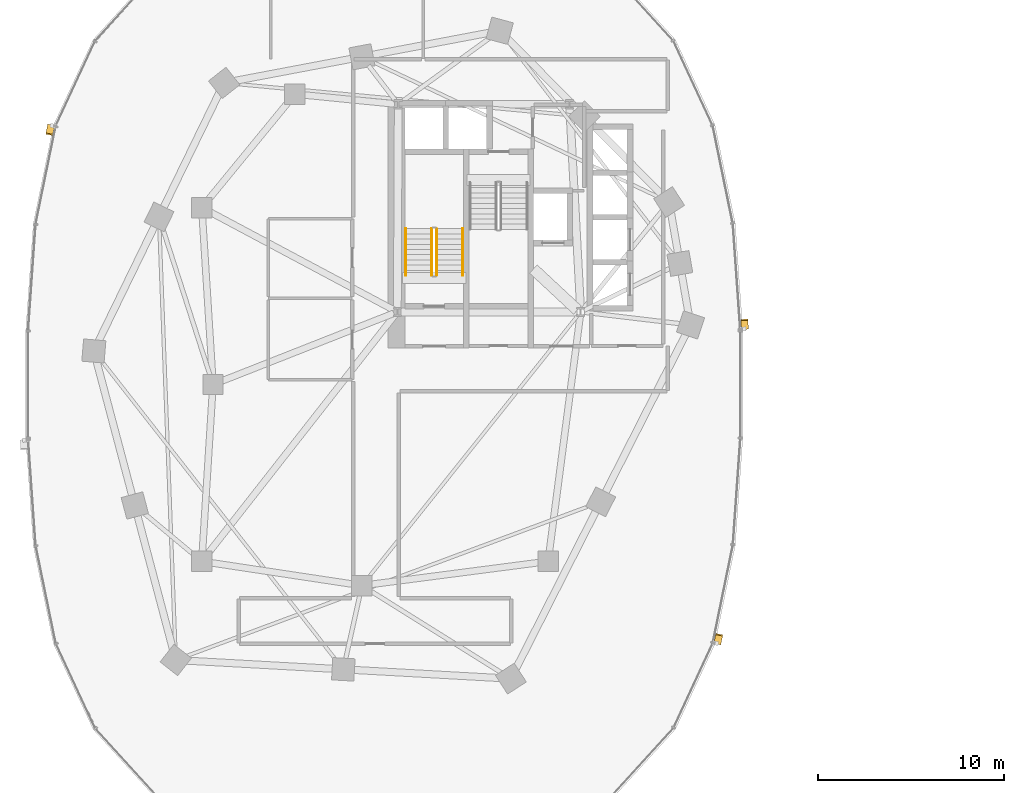
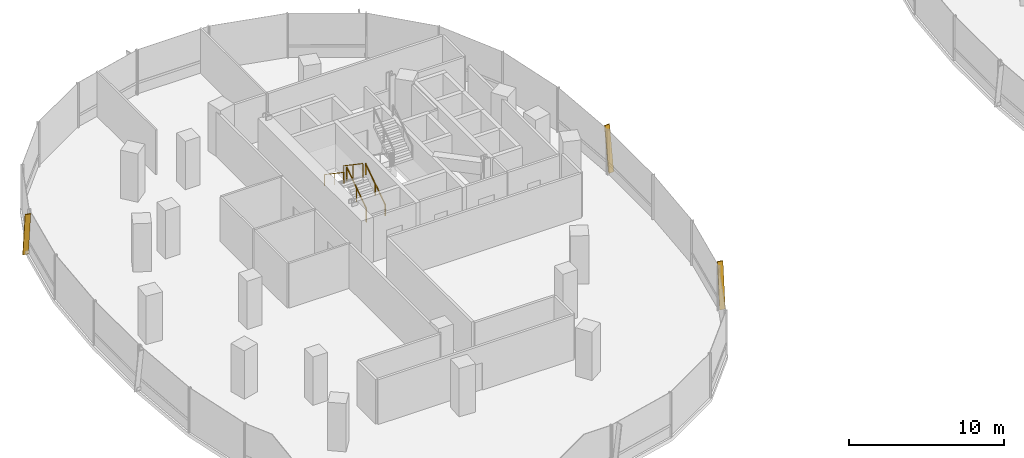
# One storey, part 18 of 21: 4 railings, 3 shading devices.
"""IFC4 building model written with IfcOpenShell, lengths in metres."""

from ifc_helpers import new_model, si_unit, direction, frame, origin, origin_2d, place, context, subcontext, project, spatial, rectangle, extrude, material, material_profile, profile_set, type_object, element, save


model = new_model("IFC4")

# Units and contexts
model_context = context("Model", 3, precision=1e-05, world=origin(), true_north=direction((0.0, 1.0)))
body_context = subcontext(model_context, "Body", "Model", "MODEL_VIEW")
ifc_project = project(units=[si_unit("LENGTHUNIT", "METRE"), si_unit("AREAUNIT", "SQUARE_METRE"), si_unit("VOLUMEUNIT", "CUBIC_METRE"), si_unit("PLANEANGLEUNIT", "RADIAN"), si_unit("MASSUNIT", "GRAM", prefix="KILO"), si_unit("THERMODYNAMICTEMPERATUREUNIT", "KELVIN"), si_unit("POWERUNIT", "WATT")], contexts=[model_context])

# Site, building, storey
site_placement = place(None, origin())
site = spatial("IfcSite", under=ifc_project, at=site_placement, CompositionType="ELEMENT")
building_placement = place(site_placement, origin())
building = spatial("IfcBuilding", under=site, at=building_placement, Name="Cundina Bronze Exchange", CompositionType="ELEMENT")
storey_placement = place(building_placement, frame((0.0, 0.0, 73.39990234375)))
storey = spatial("IfcBuildingStorey", under=building, at=storey_placement, Name="L18", CompositionType="ELEMENT", Elevation=73.39990234375)

# Railings
ifc_material_1 = material(Name="Steel ASTM A36 Painted", Category="steel")
railing_type_1 = type_object("IfcRailingType", Name="RLG-HND-900", PredefinedType="HANDRAIL", material=ifc_material_1)
railing_1_placement = place(storey_placement, frame((-27.7900390625, 5.85009765625, 0.190185546875)))
element("IfcRailing", 1, at=railing_1_placement, inside=storey, type_object=railing_type_1, Name="L18 ST-W1 stair handrail 1", PredefinedType="HANDRAIL", context=body_context, shape_type="SweptSolid", body=[
    extrude(rectangle(XDim=0.048095703125, YDim=0.048095703125, at=origin_2d()), frame((0.0, 0.0, 0.8759765625), z_axis=(0.0, 0.827483756001, 0.561489655786), x_axis=(-1.0, 0.0, 0.0)), (0.0, 0.0, 1.0), 3.04541015625),
    extrude(rectangle(XDim=0.0419921875, YDim=0.0419921875, at=origin_2d()), origin(), (0.0, 0.0, 1.0), 0.851806640625),
    extrude(rectangle(XDim=0.0419921875, YDim=0.0419921875, at=origin_2d()), frame((0.0, 1.260009765625, 0.85498046875)), (0.0, 0.0, 1.0), 0.851806640625),
    extrude(rectangle(XDim=0.0419921875, YDim=0.0419921875, at=origin_2d()), frame((0.0, 2.52001953125, 1.7099609375)), (0.0, 0.0, 1.0), 0.851806640625),
])
railing_2_placement = place(storey_placement, frame((-30.85009765625, 8.3701171875, 2.090087890625)))
element("IfcRailing", 2, at=railing_2_placement, inside=storey, type_object=railing_type_1, Name="L18 ST-W1 stair handrail 2", PredefinedType="HANDRAIL", context=body_context, shape_type="SweptSolid", body=[
    extrude(rectangle(XDim=0.048095703125, YDim=0.048095703125, at=origin_2d()), frame((0.0, 0.0, 0.8759765625), z_axis=(0.0, -0.827483756001, 0.561489655786), x_axis=(1.0, 0.0, 0.0)), (0.0, 0.0, 1.0), 3.04541015625),
    extrude(rectangle(XDim=0.0419921875, YDim=0.0419921875, at=origin_2d()), origin(), (0.0, 0.0, 1.0), 0.851806640625),
    extrude(rectangle(XDim=0.0419921875, YDim=0.0419921875, at=origin_2d()), frame((0.0, -1.260009765625, 0.85498046875)), (0.0, 0.0, 1.0), 0.851806640625),
    extrude(rectangle(XDim=0.0419921875, YDim=0.0419921875, at=origin_2d()), frame((0.0, -2.52001953125, 1.7099609375)), (0.0, 0.0, 1.0), 0.851806640625),
])
railing_type_2 = type_object("IfcRailingType", Name="RLG-STG-1100", PredefinedType="GUARDRAIL", material=ifc_material_1)
railing_3_placement = place(storey_placement, frame((-29.18994140625, 5.85009765625, 0.190185546875)))
element("IfcRailing", 3, at=railing_3_placement, inside=storey, type_object=railing_type_2, Name="L18 ST-W1 stair guard 1", PredefinedType="GUARDRAIL", context=body_context, shape_type="SweptSolid", body=[
    extrude(rectangle(XDim=0.048095703125, YDim=0.048095703125, at=origin_2d()), frame((0.0, 0.0, 1.076171875), z_axis=(0.0, 0.827483756001, 0.561489655786), x_axis=(-1.0, 0.0, 0.0)), (0.0, 0.0, 1.0), 3.04541015625),
    extrude(rectangle(XDim=0.0419921875, YDim=0.0419921875, at=origin_2d()), origin(), (0.0, 0.0, 1.0), 1.052001953125),
    extrude(rectangle(XDim=0.0419921875, YDim=0.0419921875, at=origin_2d()), frame((0.0, 1.260009765625, 0.85498046875)), (0.0, 0.0, 1.0), 1.052001953125),
    extrude(rectangle(XDim=0.0419921875, YDim=0.0419921875, at=origin_2d()), frame((0.0, 2.52001953125, 1.7099609375)), (0.0, 0.0, 1.0), 1.052001953125),
])
railing_4_placement = place(storey_placement, frame((-29.449951171875, 8.3701171875, 2.090087890625)))
element("IfcRailing", 4, at=railing_4_placement, inside=storey, type_object=railing_type_2, Name="L18 ST-W1 stair guard 3", PredefinedType="GUARDRAIL", context=body_context, shape_type="SweptSolid", body=[
    extrude(rectangle(XDim=0.048095703125, YDim=0.048095703125, at=origin_2d()), frame((0.0, 0.0, 1.076171875), z_axis=(0.0, -0.827483756001, 0.561489655786), x_axis=(1.0, 0.0, 0.0)), (0.0, 0.0, 1.0), 3.04541015625),
    extrude(rectangle(XDim=0.0419921875, YDim=0.0419921875, at=origin_2d()), origin(), (0.0, 0.0, 1.0), 1.052001953125),
    extrude(rectangle(XDim=0.0419921875, YDim=0.0419921875, at=origin_2d()), frame((0.0, -1.260009765625, 0.85498046875)), (0.0, 0.0, 1.0), 1.052001953125),
    extrude(rectangle(XDim=0.0419921875, YDim=0.0419921875, at=origin_2d()), frame((0.0, -2.52001953125, 1.7099609375)), (0.0, 0.0, 1.0), 1.052001953125),
])

# Shading devices
ifc_material_2 = material(Name="Anodised Bronze Aluminium 6063-T6", Category="aluminium")
ifc_material_profile = material_profile(ifc_material_2, rectangle(XDim=0.070068359375, YDim=0.3798828125, at=origin_2d()), Name="FIN70X380", Category="aluminium")
ifc_profile_set = profile_set([ifc_material_profile], Name="Anodised Bronze Aluminium 6063-T6")
shading_device_type = type_object("IfcShadingDeviceType", Name="SHD-FIN-BRZ380", PredefinedType="USERDEFINED", material=ifc_profile_set)
for number, where, z_axis, x_axis, name in (
    (5, (-12.6259765625, 2.993896484375, 0.02001953125), (-0.009590711413, 0.136285399132, 0.990623191854), (0.069540413612, -0.988179355741, 0.13662244238), "L18 Diagonal Bronze Solar Fin 1"),
    (6, (-49.89599609375, 13.911865234375, 0.02001953125), (-0.02759050188, -0.133852157736, 0.990617163225), (0.19998825727, 0.970220109578, 0.136666147691), "L18 Diagonal Bronze Solar Fin 5"),
    (7, (-14.10400390625, -13.911865234375, 0.02001953125), (0.02759050188, 0.133852157736, 0.990617163225), (-0.19998825727, -0.970220109578, 0.136666147691), "L18 Diagonal Bronze Solar Fin 5"),
):
    element("IfcShadingDevice", number, at=place(storey_placement, frame(where, z_axis=z_axis, x_axis=x_axis)), inside=storey, type_object=shading_device_type, Name=name, ObjectType="FIN", PredefinedType="USERDEFINED", context=body_context, shape_type="SweptSolid", body=[
        extrude(rectangle(XDim=0.070068359375, YDim=0.3798828125, at=origin_2d()), origin(), (0.0, 0.0, 1.0), 3.512939453125),
    ])

save(model, "model.ifc")
